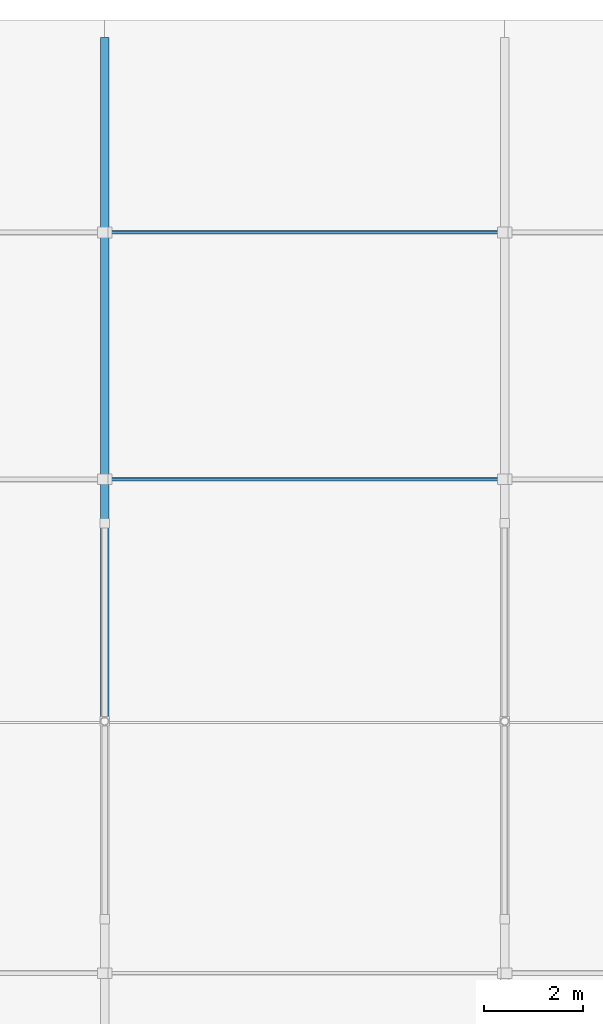
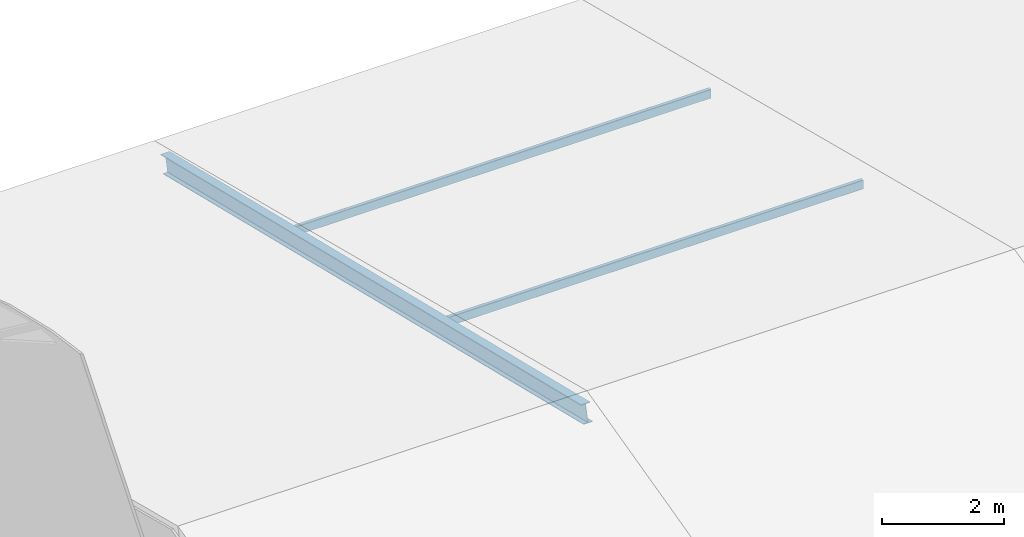
# One storey, part 34 of 65: 3 members.
"""IFC4 building model written with IfcOpenShell, lengths in metres."""

from ifc_helpers import new_model, si_unit, direction, frame, origin, origin_2d, place, context, subcontext, project, spatial, hollow_rectangle, i_section, extrude, material, material_profile, profile_set, type_object, element, save


model = new_model("IFC4")

# Units and contexts
model_context = context("Model", 3, precision=1e-05, world=origin(), true_north=direction((0.0, 1.0)))
body_context = subcontext(model_context, "Body", "Model", "MODEL_VIEW")
ifc_project = project(units=[si_unit("LENGTHUNIT", "METRE"), si_unit("AREAUNIT", "SQUARE_METRE"), si_unit("VOLUMEUNIT", "CUBIC_METRE"), si_unit("PLANEANGLEUNIT", "RADIAN"), si_unit("MASSUNIT", "GRAM", prefix="KILO")], contexts=[model_context])

# Site, building, storey
site_placement = place(None, origin())
site = spatial("IfcSite", under=ifc_project, at=site_placement, CompositionType="ELEMENT")
building_placement = place(site_placement, origin())
building = spatial("IfcBuilding", under=site, at=building_placement, Name="Quillay Park Conservatory", CompositionType="ELEMENT")
storey_placement = place(building_placement, frame((0.0, 0.0, 14.10009765625)))
storey = spatial("IfcBuildingStorey", under=building, at=storey_placement, Name="L03", CompositionType="ELEMENT", Elevation=14.10009765625)

# Members
ifc_material_1 = material(Name="Steel ASTM A992 Grade 50", Category="steel")
ifc_material_profile_1 = material_profile(ifc_material_1, i_section(OverallWidth=0.172119140625, OverallDepth=0.35791015625, WebThickness=0.0078125, FlangeThickness=0.01318359375, FilletRadius=0.010986328125, at=origin_2d()), Name="W360x57")
ifc_profile_set_1 = profile_set([ifc_material_profile_1], Name="Steel ASTM A992 Grade 50")
member_type_1 = type_object("IfcMemberType", Name="FOLDED ROOF RAFTER W360", PredefinedType="RAFTER", material=ifc_profile_set_1)
member_placement = place(storey_placement, frame((123.60009765625, 99.60009765625, 1.849853515625), z_axis=(0.0, 0.971778368893, -0.235895743394), x_axis=(-1.0, 0.0, 0.0)))
element("IfcMember", 1, at=member_placement, inside=storey, type_object=member_type_1, Name="Gridshell member AUD-RAF-N2", PredefinedType="RAFTER", context=body_context, shape_type="SweptSolid", body=[
    extrude(i_section(OverallWidth=0.172119140625, OverallDepth=0.35791015625, WebThickness=0.0078125, FlangeThickness=0.01318359375, FilletRadius=0.010986328125, at=origin_2d()), origin(), (0.0, 0.0, 1.0), 14.20068359375),
])
ifc_material_2 = material(Name="Steel S355J2H", Category="steel")
ifc_material_profile_2 = material_profile(ifc_material_2, hollow_rectangle(XDim=0.070068359375, YDim=0.179931640625, WallThickness=0.00390625, InnerFilletRadius=0.00390625, OuterFilletRadius=0.008056640625, at=origin_2d()), Name="RHS180x70x4")
ifc_profile_set_2 = profile_set([ifc_material_profile_2], Name="Steel S355J2H")
member_type_2 = type_object("IfcMemberType", Name="ROOF GLAZING PURLIN RHS180 X70", PredefinedType="PURLIN", material=ifc_profile_set_2)
for number, where, z_axis, x_axis, name in (
    (2, (123.64990234375, 104.5, 0.660400390625), (1.0, 0.0, 0.0), (0.0, 1.0, 0.0), "Gridshell member AUD-PUR-2-104"),
    (3, (123.64990234375, 109.5, -0.553466796875), (1.0, 0.0, 0.0), (0.0, 1.0, 0.0), "Gridshell member AUD-PUR-2-109"),
):
    element("IfcMember", number, at=place(storey_placement, frame(where, z_axis=z_axis, x_axis=x_axis)), inside=storey, type_object=member_type_2, Name=name, PredefinedType="PURLIN", context=body_context, shape_type="SweptSolid", body=[
        extrude(hollow_rectangle(XDim=0.070068359375, YDim=0.179931640625, WallThickness=0.00390625, InnerFilletRadius=0.00390625, OuterFilletRadius=0.008056640625, at=origin_2d()), origin(), (0.0, 0.0, 1.0), 8.0),
    ])

save(model, "model.ifc")
